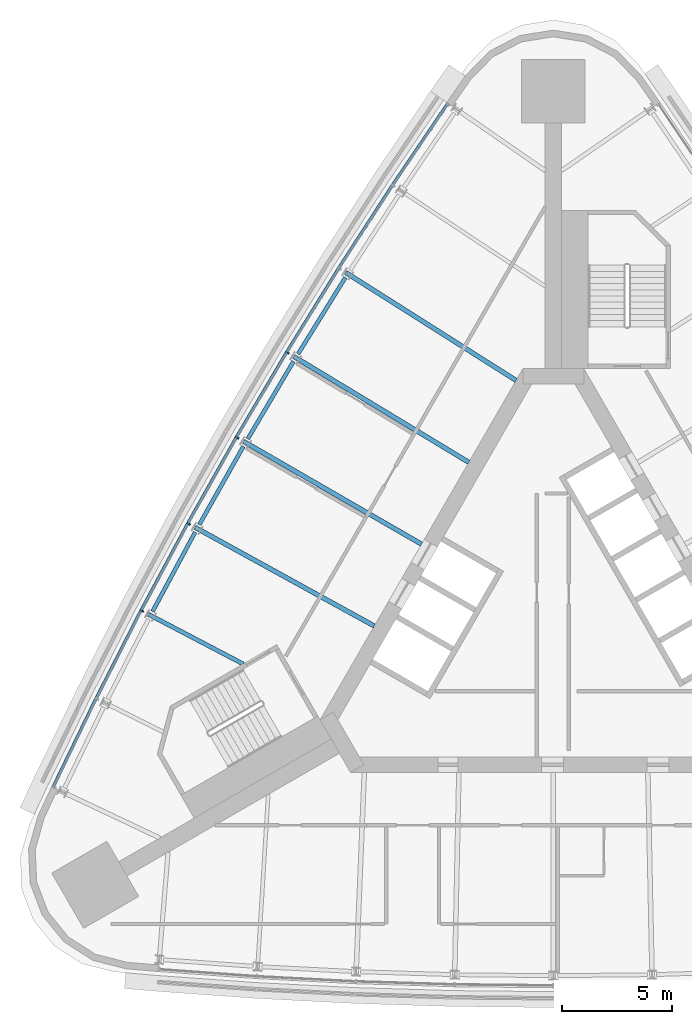
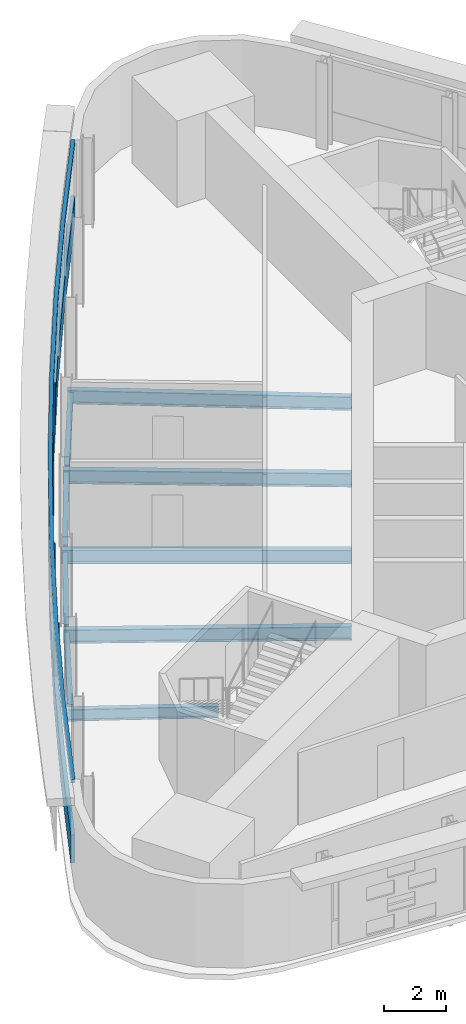
# One storey, part 4 of 13: 9 beams, 6 members, 1 element without a shape of its own.
"""IFC4 building model written with IfcOpenShell, lengths in metres."""

from ifc_helpers import new_model, si_unit, direction, frame, origin, origin_2d, place, context, subcontext, project, spatial, polyline, rectangle, i_section, outline, extrude, material, material_profile, profile_set, type_object, element, aggregate, save


model = new_model("IFC4")

# Units and contexts
model_context = context("Model", 3, precision=1e-05, world=origin(), true_north=direction((0.0, 1.0)))
body_context = subcontext(model_context, "Body", "Model", "MODEL_VIEW")
ifc_project = project(units=[si_unit("LENGTHUNIT", "METRE"), si_unit("AREAUNIT", "SQUARE_METRE"), si_unit("VOLUMEUNIT", "CUBIC_METRE"), si_unit("PLANEANGLEUNIT", "RADIAN"), si_unit("MASSUNIT", "GRAM", prefix="KILO")], contexts=[model_context])

# Site, building, storey
site_placement = place(None, origin())
site = spatial("IfcSite", under=ifc_project, at=site_placement, CompositionType="ELEMENT")
building_placement = place(site_placement, origin())
building = spatial("IfcBuilding", under=site, at=building_placement, Name="Noor Cloister Tower", CompositionType="ELEMENT")
storey_placement = place(building_placement, frame((0.0, 0.0, 140.10009765625)))
storey = spatial("IfcBuildingStorey", under=building, at=storey_placement, Name="L35", CompositionType="ELEMENT", Elevation=140.10009765625)

# Curtain wall, members
ifc_material_1 = material(Name="Aluminium 6063-T6 anodised", Category="aluminium")
curtain_wall_type = type_object("IfcCurtainWallType", Name="Ribbon curtain wall, upper tower CW5", PredefinedType="NOTDEFINED", material=ifc_material_1)
curtain_wall_placement = place(storey_placement, origin())
curtain_wall = element("IfcCurtainWall", 1, at=curtain_wall_placement, inside=storey, type_object=curtain_wall_type, Name="CW5 L35 NW run 1", PredefinedType="NOTDEFINED")
ifc_material_2 = material(Name="Aluminium 6063-T6 anodised", Category="aluminium")
member_type_1 = type_object("IfcMemberType", Name="Head transom CW5 150", PredefinedType="USERDEFINED", material=ifc_material_2)
member_1_placement = place(storey_placement, frame((0.0, 0.0, 3.14990234375)))
member_1 = element("IfcMember", 2, at=member_1_placement, type_object=member_type_1, Name="CW5 head transom", ObjectType="TRANSOM", PredefinedType="USERDEFINED", context=body_context, shape_type="SweptSolid", body=[
    extrude(outline(polyline([(-4.853271484375, 23.5634765625), (-7.376953125, 19.837646484375), (-9.823486328125, 16.06103515625), (-12.1923828125, 12.235107421875), (-14.482177734375, 8.361328125), (-16.69189453125, 4.44140625), (-18.821044921875, 0.47705078125), (-20.868408203125, -3.5302734375), (-22.833251953125, -7.57861328125), (-22.707275390625, -7.6396484375), (-20.7431640625, -3.5927734375), (-18.697021484375, 0.411865234375), (-16.5693359375, 4.373779296875), (-14.36083984375, 8.291259765625), (-12.072509765625, 12.16259765625), (-9.705322265625, 15.986083984375), (-7.26025390625, 19.76025390625), (-4.7373046875, 23.48486328125), (-4.853271484375, 23.5634765625)])), origin(), (0.0, 0.0, 1.0), 0.14990234375),
])
ifc_material_3 = material(Name="Aluminium 6063-T6 anodised", Category="aluminium")
ifc_material_profile_1 = material_profile(ifc_material_3, rectangle(XDim=0.179931640625, YDim=0.070068359375, at=origin_2d()), Name="180 x 70 mullion")
ifc_profile_set_1 = profile_set([ifc_material_profile_1], Name="Aluminium 6063-T6 anodised")
member_type_2 = type_object("IfcMemberType", Name="Mullion CW5 70 x 180", PredefinedType="MULLION", material=ifc_profile_set_1)
member_2_placement = place(storey_placement, frame((-12.106689453125, 12.183349609375, 1.099853515625), z_axis=(0.0, 0.0, 1.0), x_axis=(0.855592397057, -0.517650123248, 0.0)))
member_2 = element("IfcMember", 3, at=member_2_placement, type_object=member_type_2, Name="CW5 mullion 4", PredefinedType="MULLION", context=body_context, shape_type="SweptSolid", body=[
    extrude(rectangle(XDim=0.179931640625, YDim=0.070068359375, at=origin_2d()), origin(), (0.0, 0.0, 1.0), 2.050048828125),
])
member_3_placement = place(storey_placement, frame((-14.3955078125, 8.311279296875, 1.099853515625), z_axis=(0.0, 0.0, 1.0), x_axis=(0.866025403784, -0.5, 0.0)))
member_3 = element("IfcMember", 4, at=member_3_placement, type_object=member_type_2, Name="CW5 mullion 5", PredefinedType="MULLION", context=body_context, shape_type="SweptSolid", body=[
    extrude(rectangle(XDim=0.179931640625, YDim=0.070068359375, at=origin_2d()), origin(), (0.0, 0.0, 1.0), 2.050048828125),
])
member_4_placement = place(storey_placement, frame((-16.6044921875, 4.39306640625, 1.099853515625), z_axis=(0.0, 0.0, 1.0), x_axis=(0.876094355533, -0.482139689512, 0.0)))
member_4 = element("IfcMember", 5, at=member_4_placement, type_object=member_type_2, Name="CW5 mullion 6", PredefinedType="MULLION", context=body_context, shape_type="SweptSolid", body=[
    extrude(rectangle(XDim=0.179931640625, YDim=0.070068359375, at=origin_2d()), origin(), (0.0, 0.0, 1.0), 2.050048828125),
])
member_5_placement = place(storey_placement, frame((-18.732421875, 0.4306640625, 1.099853515625), z_axis=(0.0, 0.0, 1.0), x_axis=(0.885795011473, -0.464076715262, 0.0)))
member_5 = element("IfcMember", 6, at=member_5_placement, type_object=member_type_2, Name="CW5 mullion 7", PredefinedType="MULLION", context=body_context, shape_type="SweptSolid", body=[
    extrude(rectangle(XDim=0.179931640625, YDim=0.070068359375, at=origin_2d()), origin(), (0.0, 0.0, 1.0), 2.050048828125),
])

# Beams
ifc_material_4 = material(Name="Steel ASTM A992 Gr 50", Category="steel")
ifc_material_profile_2 = material_profile(ifc_material_4, i_section(OverallWidth=0.19091796875, OverallDepth=0.45703125, WebThickness=0.009033203125, FlangeThickness=0.014404296875, FilletRadius=0.01025390625, at=origin_2d()), Name="W460x74")
ifc_profile_set_2 = profile_set([ifc_material_profile_2], Name="Steel ASTM A992 Gr 50")
beam_type_1 = type_object("IfcBeamType", Name="Radial beam W460x74", PredefinedType="BEAM", material=ifc_profile_set_2)
beam_1_placement = place(storey_placement, frame((-18.4287109375, 0.271484375, -0.4287109375), z_axis=(0.885783447406, -0.464098787222, 0.0), x_axis=(0.464098787222, 0.885783447406, 0.0)))
element("IfcBeam", 7, at=beam_1_placement, inside=storey, type_object=beam_type_1, Name="Radial beam NW 07 L35", PredefinedType="BEAM", context=body_context, shape_type="SweptSolid", body=[
    extrude(i_section(OverallWidth=0.19091796875, OverallDepth=0.45703125, WebThickness=0.009033203125, FlangeThickness=0.014404296875, FilletRadius=0.01025390625, at=origin_2d()), origin(), (0.0, 0.0, 1.0), 4.86962890625),
])
ifc_material_5 = material(Name="Steel ASTM A992 Gr 50", Category="steel")
ifc_material_profile_3 = material_profile(ifc_material_5, i_section(OverallWidth=0.208984375, OverallDepth=0.532958984375, WebThickness=0.01025390625, FlangeThickness=0.015625, FilletRadius=0.0126953125, at=origin_2d()), Name="W530x92")
ifc_profile_set_3 = profile_set([ifc_material_profile_3], Name="Steel ASTM A992 Gr 50")
beam_type_2 = type_object("IfcBeamType", Name="Radial beam W530x92", PredefinedType="BEAM", material=ifc_profile_set_3)
beam_2_placement = place(storey_placement, frame((-9.449462890625, 15.823974609375, -0.466552734375), z_axis=(0.84480784903, -0.535069806863, 0.0), x_axis=(0.535069806863, 0.84480784903, 0.0)))
element("IfcBeam", 8, at=beam_2_placement, inside=storey, type_object=beam_type_2, Name="Radial beam NW 03 L35", PredefinedType="BEAM", context=body_context, shape_type="SweptSolid", body=[
    extrude(i_section(OverallWidth=0.208984375, OverallDepth=0.532958984375, WebThickness=0.01025390625, FlangeThickness=0.015625, FilletRadius=0.0126953125, at=origin_2d()), origin(), (0.0, 0.0, 1.0), 9.1748046875),
])
beam_3_placement = place(storey_placement, frame((-11.813232421875, 12.005615234375, -0.466552734375), z_axis=(0.855591496874, -0.517651611102, 0.0), x_axis=(0.517651611102, 0.855591496874, 0.0)))
element("IfcBeam", 9, at=beam_3_placement, inside=storey, type_object=beam_type_2, Name="Radial beam NW 04 L35", PredefinedType="BEAM", context=body_context, shape_type="SweptSolid", body=[
    extrude(i_section(OverallWidth=0.208984375, OverallDepth=0.532958984375, WebThickness=0.01025390625, FlangeThickness=0.015625, FilletRadius=0.0126953125, at=origin_2d()), origin(), (0.0, 0.0, 1.0), 9.30712890625),
])
beam_4_placement = place(storey_placement, frame((-14.098388671875, 8.1396484375, -0.466552734375), z_axis=(0.866028634529, -0.499994404144, 0.0), x_axis=(0.499994404144, 0.866028634529, 0.0)))
element("IfcBeam", 10, at=beam_4_placement, inside=storey, type_object=beam_type_2, Name="Radial beam NW 05 L35", PredefinedType="BEAM", context=body_context, shape_type="SweptSolid", body=[
    extrude(i_section(OverallWidth=0.208984375, OverallDepth=0.532958984375, WebThickness=0.01025390625, FlangeThickness=0.015625, FilletRadius=0.0126953125, at=origin_2d()), origin(), (0.0, 0.0, 1.0), 9.35107421875),
])
beam_5_placement = place(storey_placement, frame((-16.303955078125, 4.227783203125, -0.466552734375), z_axis=(0.876099025266, -0.48213120406, 0.0), x_axis=(0.48213120406, 0.876099025266, 0.0)))
element("IfcBeam", 11, at=beam_5_placement, inside=storey, type_object=beam_type_2, Name="Radial beam NW 06 L35", PredefinedType="BEAM", context=body_context, shape_type="SweptSolid", body=[
    extrude(i_section(OverallWidth=0.208984375, OverallDepth=0.532958984375, WebThickness=0.01025390625, FlangeThickness=0.015625, FilletRadius=0.0126953125, at=origin_2d()), origin(), (0.0, 0.0, 1.0), 9.30712890625),
])

# Member
ifc_material_6 = material(Name="Aluminium 6063-T6 anodised", Category="aluminium")
member_type_3 = type_object("IfcMemberType", Name="Sill transom CW5 1100", PredefinedType="USERDEFINED", material=ifc_material_6)
member_6_placement = place(storey_placement, origin())
member_6 = element("IfcMember", 12, at=member_6_placement, type_object=member_type_3, Name="CW5 sill transom", ObjectType="TRANSOM", PredefinedType="USERDEFINED", context=body_context, shape_type="SweptSolid", body=[
    extrude(outline(polyline([(-4.853271484375, 23.5634765625), (-7.376953125, 19.837646484375), (-9.823486328125, 16.06103515625), (-12.1923828125, 12.235107421875), (-14.482177734375, 8.361328125), (-16.69189453125, 4.44140625), (-18.821044921875, 0.47705078125), (-20.868408203125, -3.5302734375), (-22.833251953125, -7.57861328125), (-22.707275390625, -7.6396484375), (-20.7431640625, -3.5927734375), (-18.697021484375, 0.411865234375), (-16.5693359375, 4.373779296875), (-14.36083984375, 8.291259765625), (-12.072509765625, 12.16259765625), (-9.705322265625, 15.986083984375), (-7.26025390625, 19.76025390625), (-4.7373046875, 23.48486328125), (-4.853271484375, 23.5634765625)])), origin(), (0.0, 0.0, 1.0), 1.099853515625),
])

aggregate(curtain_wall, [member_2, member_3, member_4, member_5, member_6, member_1])

# Beams
ifc_material_7 = material(Name="Steel ASTM A992 Gr 50", Category="steel")
ifc_material_profile_4 = material_profile(ifc_material_7, i_section(OverallWidth=0.177978515625, OverallDepth=0.406005859375, WebThickness=0.0078125, FlangeThickness=0.0126953125, FilletRadius=0.01025390625, at=origin_2d()), Name="W410x60")
ifc_profile_set_4 = profile_set([ifc_material_profile_4], Name="Steel ASTM A992 Gr 50")
beam_type_3 = type_object("IfcBeamType", Name="Spandrel beam W410x60", PredefinedType="SPANDREL", material=ifc_profile_set_4)
beam_6_placement = place(storey_placement, frame((-9.4638671875, 15.59716796875, -0.403076171875), z_axis=(-0.526393660697, -0.850240974065, 0.0), x_axis=(0.850240974065, -0.526393660697, 0.0)))
element("IfcBeam", 13, at=beam_6_placement, inside=storey, type_object=beam_type_3, Name="Spandrel beam NW 03 L35", PredefinedType="SPANDREL", context=body_context, shape_type="SweptSolid", body=[
    extrude(i_section(OverallWidth=0.177978515625, OverallDepth=0.406005859375, WebThickness=0.0078125, FlangeThickness=0.0126953125, FilletRadius=0.01025390625, at=origin_2d()), origin(), (0.0, 0.0, 1.0), 4.08984375),
])
for number, where, z_axis, x_axis, name in (
    (14, (-11.8232421875, 11.778564453125, -0.403076171875), (-0.508866071809, -0.860845701018, 0.0), (0.860845701018, -0.508866071809, 0.0), "Spandrel beam NW 04 L35"),
    (15, (-14.103759765625, 7.912353515625, -0.403076171875), (-0.491122612788, -0.871090454091, 0.0), (0.871090454091, -0.491122612788, 0.0), "Spandrel beam NW 05 L35"),
):
    element("IfcBeam", number, at=place(storey_placement, frame(where, z_axis=z_axis, x_axis=x_axis)), inside=storey, type_object=beam_type_3, Name=name, PredefinedType="SPANDREL", context=body_context, shape_type="SweptSolid", body=[
        extrude(i_section(OverallWidth=0.177978515625, OverallDepth=0.406005859375, WebThickness=0.0078125, FlangeThickness=0.0126953125, FilletRadius=0.01025390625, at=origin_2d()), origin(), (0.0, 0.0, 1.0), 4.089599609375),
    ])
beam_7_placement = place(storey_placement, frame((-16.304443359375, 4.00048828125, -0.403076171875), z_axis=(-0.473145514106, -0.880984291847, 0.0), x_axis=(0.880984291847, -0.473145514106, 0.0)))
element("IfcBeam", 16, at=beam_7_placement, inside=storey, type_object=beam_type_3, Name="Spandrel beam NW 06 L35", PredefinedType="SPANDREL", context=body_context, shape_type="SweptSolid", body=[
    extrude(i_section(OverallWidth=0.177978515625, OverallDepth=0.406005859375, WebThickness=0.0078125, FlangeThickness=0.0126953125, FilletRadius=0.01025390625, at=origin_2d()), origin(), (0.0, 0.0, 1.0), 4.08984375),
])

save(model, "model.ifc")
